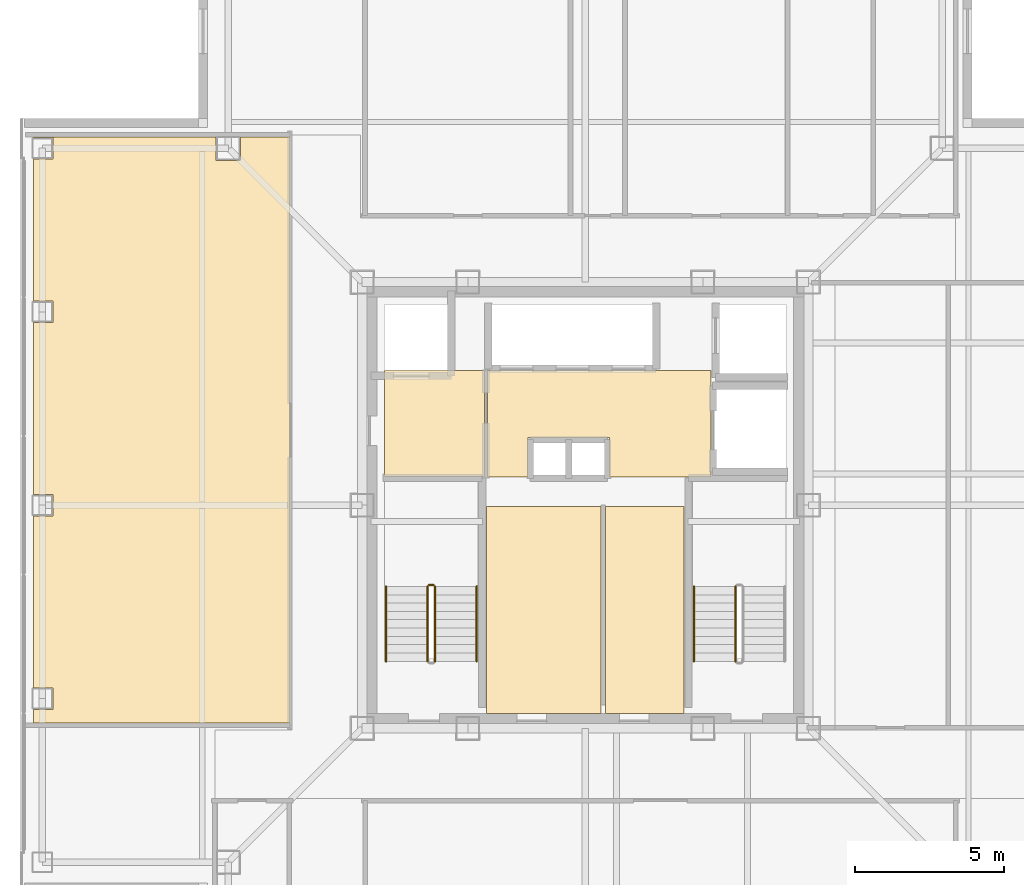
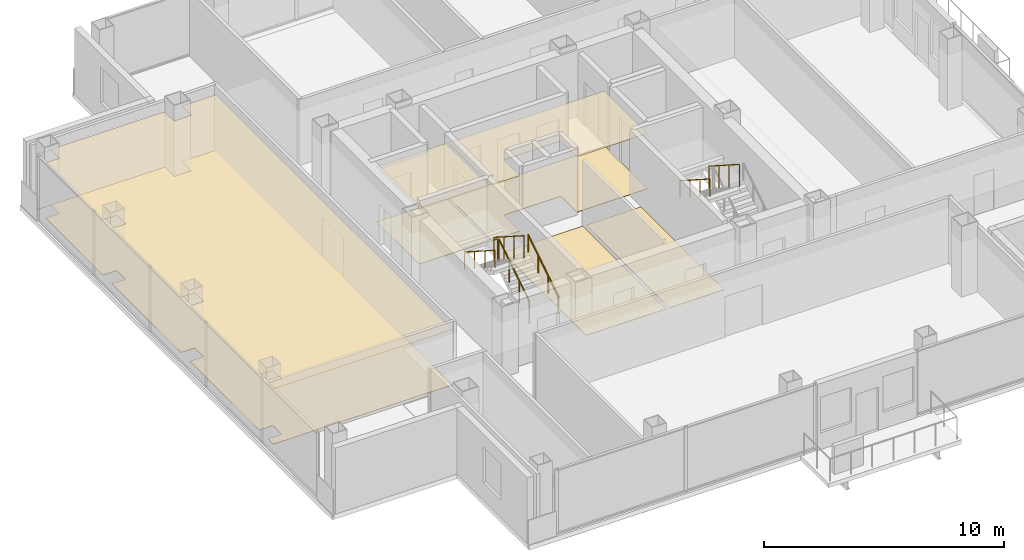
# One storey, part 12 of 15: 8 coverings, 7 railings.
"""IFC4 building model written with IfcOpenShell, lengths in metres."""

from ifc_helpers import new_model, si_unit, direction, frame, origin, origin_2d, place, context, subcontext, project, spatial, polyline, circle, outline, extrude, material, layer, layer_set, type_object, element, save


model = new_model("IFC4")

# Units and contexts
model_context = context("Model", 3, precision=1e-05, world=origin(), true_north=direction((0.0, 1.0)))
body_context = subcontext(model_context, "Body", "Model", "MODEL_VIEW")
ifc_project = project(units=[si_unit("LENGTHUNIT", "METRE"), si_unit("AREAUNIT", "SQUARE_METRE"), si_unit("VOLUMEUNIT", "CUBIC_METRE"), si_unit("PLANEANGLEUNIT", "RADIAN"), si_unit("MASSUNIT", "GRAM", prefix="KILO")], contexts=[model_context])

# Site, building, storey
site_placement = place(None, origin())
site = spatial("IfcSite", under=ifc_project, at=site_placement, CompositionType="ELEMENT")
building_placement = place(site_placement, origin())
building = spatial("IfcBuilding", under=site, at=building_placement, Name="Trevonay Congress Spire", CompositionType="ELEMENT")
storey_placement = place(building_placement, frame((0.0, 0.0, 243.199951171875)))
storey = spatial("IfcBuildingStorey", under=building, at=storey_placement, Name="L63", CompositionType="ELEMENT", Elevation=243.199951171875)

# Coverings
ifc_material_1 = material(Name="Acoustic Mineral Fibre Board", Category="gypsum")
ifc_layer_1 = layer(ifc_material_1, 0.02490234375, Name="Acoustic Mineral Fibre Board")
ifc_layer_set_1 = layer_set([ifc_layer_1], Name="Acoustic Mineral Fibre Board")
covering_type_1 = type_object("IfcCoveringType", Name="COV-CEIL-ACOUSTIC", PredefinedType="CEILING", material=ifc_layer_set_1)
covering_1_placement = place(storey_placement, frame((0.0, 0.0, 2.81005859375)))
element("IfcCovering", 1, at=covering_1_placement, inside=storey, type_object=covering_type_1, Name="L63 Firefighting Lift Lobby West acoustic suspended ceiling", PredefinedType="CEILING", context=body_context, shape_type="SweptSolid", body=[
    extrude(outline(polyline([(-6.75, 0.9599609375), (-3.3798828125, 0.9599609375), (-3.3798828125, 4.52001953125), (-6.75, 4.52001953125), (-6.75, 0.9599609375)])), origin(), (0.0, 0.0, 1.0), 0.02490234375),
])
covering_2_placement = place(storey_placement, frame((0.0, 0.0, 2.81005859375)))
element("IfcCovering", 2, at=covering_2_placement, inside=storey, type_object=covering_type_1, Name="L63 Central and High-Rise Passenger Lift Lobby acoustic suspended ceiling", PredefinedType="CEILING", context=body_context, shape_type="SweptSolid", body=[
    extrude(outline(polyline([(-3.280029296875, 0.949951171875), (-1.919921875, 0.949951171875), (-1.919921875, 2.280029296875), (0.820068359375, 2.280029296875), (0.820068359375, 0.949951171875), (4.219970703125, 0.949951171875), (4.219970703125, 4.52001953125), (-3.280029296875, 4.52001953125), (-3.280029296875, 0.949951171875)])), origin(), (0.0, 0.0, 1.0), 0.02490234375),
])
covering_3_placement = place(storey_placement, frame((0.0, 0.0, 2.81005859375)))
element("IfcCovering", 3, at=covering_3_placement, inside=storey, type_object=covering_type_1, Name="L63 Mercosur Ministerial Council Chamber acoustic suspended ceiling", PredefinedType="CEILING", context=body_context, shape_type="SweptSolid", body=[
    extrude(outline(polyline([(-9.929931640625, 12.3701171875), (-9.929931640625, -7.320068359375), (-18.550048828125, -7.320068359375), (-18.550048828125, -6.860107421875), (-17.889892578125, -6.860107421875), (-17.889892578125, -6.139892578125), (-18.550048828125, -6.139892578125), (-18.550048828125, -0.360107421875), (-17.889892578125, -0.360107421875), (-17.889892578125, 0.360107421875), (-18.550048828125, 0.360107421875), (-18.550048828125, 6.139892578125), (-17.889892578125, 6.139892578125), (-17.889892578125, 6.860107421875), (-18.550048828125, 6.860107421875), (-18.550048828125, 11.639892578125), (-17.889892578125, 11.639892578125), (-17.889892578125, 12.360107421875), (-18.550048828125, 12.360107421875), (-18.550048828125, 12.3701171875), (-12.409912109375, 12.3701171875), (-12.409912109375, 11.590087890625), (-11.590087890625, 11.590087890625), (-11.590087890625, 12.3701171875), (-9.929931640625, 12.3701171875)])), origin(), (0.0, 0.0, 1.0), 0.02490234375),
])
ifc_material_2 = material(Name="Polished Granite Floor Tile", Category="masonry")
ifc_layer_2 = layer(ifc_material_2, 0.02001953125, Name="Polished Granite Floor Tile")
ifc_layer_set_2 = layer_set([ifc_layer_2], Name="Polished Granite Floor Tile")
covering_type_2 = type_object("IfcCoveringType", Name="COV-FLOOR-STONE", PredefinedType="FLOORING", material=ifc_layer_set_2)
covering_4_placement = place(storey_placement, origin())
element("IfcCovering", 4, at=covering_4_placement, inside=storey, type_object=covering_type_2, Name="L63 Firefighting Lift Lobby West floor finish", PredefinedType="FLOORING", context=body_context, shape_type="SweptSolid", body=[
    extrude(outline(polyline([(-6.75, 0.9599609375), (-3.3798828125, 0.9599609375), (-3.3798828125, 4.52001953125), (-6.75, 4.52001953125), (-6.75, 0.9599609375)])), origin(), (0.0, 0.0, 1.0), 0.02001953125),
])
covering_5_placement = place(storey_placement, origin())
element("IfcCovering", 5, at=covering_5_placement, inside=storey, type_object=covering_type_2, Name="L63 Central and High-Rise Passenger Lift Lobby floor finish", PredefinedType="FLOORING", context=body_context, shape_type="SweptSolid", body=[
    extrude(outline(polyline([(-3.280029296875, 0.949951171875), (-1.919921875, 0.949951171875), (-1.919921875, 2.280029296875), (0.820068359375, 2.280029296875), (0.820068359375, 0.949951171875), (4.219970703125, 0.949951171875), (4.219970703125, 4.52001953125), (-3.280029296875, 4.52001953125), (-3.280029296875, 0.949951171875)])), origin(), (0.0, 0.0, 1.0), 0.02001953125),
])
covering_6_placement = place(storey_placement, origin())
element("IfcCovering", 6, at=covering_6_placement, inside=storey, type_object=covering_type_2, Name="L63 Core Electrical Sub-Board Room floor finish", PredefinedType="FLOORING", context=body_context, shape_type="SweptSolid", body=[
    extrude(outline(polyline([(-3.320068359375, -7.0), (0.52001953125, -7.0), (0.52001953125, -0.050048828125), (-3.320068359375, -0.050048828125), (-3.320068359375, -7.0)])), origin(), (0.0, 0.0, 1.0), 0.02001953125),
])
covering_7_placement = place(storey_placement, origin())
element("IfcCovering", 7, at=covering_7_placement, inside=storey, type_object=covering_type_2, Name="L63 Cleaner and Housekeeping Store floor finish", PredefinedType="FLOORING", context=body_context, shape_type="SweptSolid", body=[
    extrude(outline(polyline([(0.679931640625, -7.0), (3.320068359375, -7.0), (3.320068359375, -0.050048828125), (0.679931640625, -0.050048828125), (0.679931640625, -7.0)])), origin(), (0.0, 0.0, 1.0), 0.02001953125),
])
ifc_material_3 = material(Name="Engineered Oak Flooring", Category="wood")
ifc_layer_3 = layer(ifc_material_3, 0.01806640625, Name="Engineered Oak Flooring")
ifc_layer_set_3 = layer_set([ifc_layer_3], Name="Engineered Oak Flooring")
covering_type_3 = type_object("IfcCoveringType", Name="COV-FLOOR-TIMBER", PredefinedType="FLOORING", material=ifc_layer_set_3)
covering_8_placement = place(storey_placement, origin())
element("IfcCovering", 8, at=covering_8_placement, inside=storey, type_object=covering_type_3, Name="L63 Mercosur Ministerial Council Chamber floor finish", PredefinedType="FLOORING", context=body_context, shape_type="SweptSolid", body=[
    extrude(outline(polyline([(-9.929931640625, 12.3701171875), (-9.929931640625, -7.320068359375), (-18.550048828125, -7.320068359375), (-18.550048828125, -6.860107421875), (-17.889892578125, -6.860107421875), (-17.889892578125, -6.139892578125), (-18.550048828125, -6.139892578125), (-18.550048828125, -0.360107421875), (-17.889892578125, -0.360107421875), (-17.889892578125, 0.360107421875), (-18.550048828125, 0.360107421875), (-18.550048828125, 6.139892578125), (-17.889892578125, 6.139892578125), (-17.889892578125, 6.860107421875), (-18.550048828125, 6.860107421875), (-18.550048828125, 11.639892578125), (-17.889892578125, 11.639892578125), (-17.889892578125, 12.360107421875), (-18.550048828125, 12.360107421875), (-18.550048828125, 12.3701171875), (-12.409912109375, 12.3701171875), (-12.409912109375, 11.590087890625), (-11.590087890625, 11.590087890625), (-11.590087890625, 12.3701171875), (-9.929931640625, 12.3701171875)])), origin(), (0.0, 0.0, 1.0), 0.01806640625),
])

# Railings
ifc_material_4 = material(Name="Pale Anodised Aluminium EN AW-6063-T6", Category="aluminium")
railing_type_1 = type_object("IfcRailingType", Name="RAL-STAIR-GUARD-110", PredefinedType="GUARDRAIL", material=ifc_material_4)
railing_1_placement = place(storey_placement, frame((-5.050048828125, -5.25, 0.179931640625)))
element("IfcRailing", 9, at=railing_1_placement, inside=storey, type_object=railing_type_1, Name="L63 ST-1 stair guard 1", PredefinedType="GUARDRAIL", context=body_context, shape_type="SweptSolid", body=[
    extrude(circle(Radius=0.02392578125, at=origin_2d()), frame((0.0, 0.0, 1.1259765625), z_axis=(0.0, 0.841162588446, 0.540782303519), x_axis=(-1.0, 0.0, 0.0)), (0.0, 0.0, 1.0), 2.995849609375),
    extrude(circle(Radius=0.02099609375, at=origin_2d()), origin(), (0.0, 0.0, 1.0), 1.101806640625),
    extrude(circle(Radius=0.02099609375, at=origin_2d()), frame((0.0, 0.840087890625, 0.5400390625)), (0.0, 0.0, 1.0), 1.101806640625),
    extrude(circle(Radius=0.02099609375, at=origin_2d()), frame((0.0, 1.679931640625, 1.080078125)), (0.0, 0.0, 1.0), 1.101806640625),
    extrude(circle(Radius=0.02099609375, at=origin_2d()), frame((0.0, 2.52001953125, 1.6201171875)), (0.0, 0.0, 1.0), 1.101806640625),
])
railing_2_placement = place(storey_placement, frame((-5.10009765625, -2.679931640625, 1.800048828125)))
element("IfcRailing", 10, at=railing_2_placement, inside=storey, type_object=railing_type_1, Name="L63 ST-1 stair guard 2", PredefinedType="GUARDRAIL", context=body_context, shape_type="SweptSolid", body=[
    extrude(circle(Radius=0.02392578125, at=origin_2d()), frame((0.0, 0.0, 1.1259765625), z_axis=(-1.0, 0.0, 0.0), x_axis=(0.0, -1.0, 0.0)), (0.0, 0.0, 1.0), 0.14990234375),
    extrude(circle(Radius=0.02099609375, at=origin_2d()), origin(), (0.0, 0.0, 1.0), 1.101806640625),
    extrude(circle(Radius=0.02099609375, at=origin_2d()), frame((-0.14990234375, 0.0, 0.0)), (0.0, 0.0, 1.0), 1.101806640625),
])
for number, where, name in (
    (11, (-5.300048828125, -2.72998046875, 1.97998046875), "L63 ST-1 stair guard 3"),
    (12, (5.050048828125, -2.72998046875, 1.97998046875), "L63 ST-2 stair guard 3"),
):
    element("IfcRailing", number, at=place(storey_placement, frame(where)), inside=storey, type_object=railing_type_1, Name=name, PredefinedType="GUARDRAIL", context=body_context, shape_type="SweptSolid", body=[
        extrude(circle(Radius=0.02392578125, at=origin_2d()), frame((0.0, 0.0, 1.1259765625), z_axis=(0.0, -0.841162588446, 0.540782303519), x_axis=(1.0, 0.0, 0.0)), (0.0, 0.0, 1.0), 2.995849609375),
        extrude(circle(Radius=0.02099609375, at=origin_2d()), origin(), (0.0, 0.0, 1.0), 1.101806640625),
        extrude(circle(Radius=0.02099609375, at=origin_2d()), frame((0.0, -0.840087890625, 0.5400390625)), (0.0, 0.0, 1.0), 1.101806640625),
        extrude(circle(Radius=0.02099609375, at=origin_2d()), frame((0.0, -1.679931640625, 1.080078125)), (0.0, 0.0, 1.0), 1.101806640625),
        extrude(circle(Radius=0.02099609375, at=origin_2d()), frame((0.0, -2.52001953125, 1.6201171875)), (0.0, 0.0, 1.0), 1.101806640625),
    ])
railing_type_2 = type_object("IfcRailingType", Name="RAL-STAIR-HANDRAIL", PredefinedType="HANDRAIL", material=ifc_material_4)
railing_3_placement = place(storey_placement, frame((-3.64990234375, -5.25, 0.179931640625)))
element("IfcRailing", 13, at=railing_3_placement, inside=storey, type_object=railing_type_2, Name="L63 ST-1 stair handrail 1", PredefinedType="HANDRAIL", context=body_context, shape_type="SweptSolid", body=[
    extrude(circle(Radius=0.02392578125, at=origin_2d()), frame((0.0, 0.0, 0.8759765625), z_axis=(0.0, 0.841162588446, 0.540782303519), x_axis=(-1.0, 0.0, 0.0)), (0.0, 0.0, 1.0), 2.995849609375),
    extrude(circle(Radius=0.02099609375, at=origin_2d()), origin(), (0.0, 0.0, 1.0), 0.851806640625),
    extrude(circle(Radius=0.02099609375, at=origin_2d()), frame((0.0, 0.840087890625, 0.5400390625)), (0.0, 0.0, 1.0), 0.851806640625),
    extrude(circle(Radius=0.02099609375, at=origin_2d()), frame((0.0, 1.679931640625, 1.080078125)), (0.0, 0.0, 1.0), 0.851806640625),
    extrude(circle(Radius=0.02099609375, at=origin_2d()), frame((0.0, 2.52001953125, 1.6201171875)), (0.0, 0.0, 1.0), 0.851806640625),
])
for number, where, name in (
    (14, (-6.699951171875, -2.72998046875, 1.97998046875), "L63 ST-1 stair handrail 2"),
    (15, (3.64990234375, -2.72998046875, 1.97998046875), "L63 ST-2 stair handrail 2"),
):
    element("IfcRailing", number, at=place(storey_placement, frame(where)), inside=storey, type_object=railing_type_2, Name=name, PredefinedType="HANDRAIL", context=body_context, shape_type="SweptSolid", body=[
        extrude(circle(Radius=0.02392578125, at=origin_2d()), frame((0.0, 0.0, 0.8759765625), z_axis=(0.0, -0.841162588446, 0.540782303519), x_axis=(1.0, 0.0, 0.0)), (0.0, 0.0, 1.0), 2.995849609375),
        extrude(circle(Radius=0.02099609375, at=origin_2d()), origin(), (0.0, 0.0, 1.0), 0.851806640625),
        extrude(circle(Radius=0.02099609375, at=origin_2d()), frame((0.0, -0.840087890625, 0.5400390625)), (0.0, 0.0, 1.0), 0.851806640625),
        extrude(circle(Radius=0.02099609375, at=origin_2d()), frame((0.0, -1.679931640625, 1.080078125)), (0.0, 0.0, 1.0), 0.851806640625),
        extrude(circle(Radius=0.02099609375, at=origin_2d()), frame((0.0, -2.52001953125, 1.6201171875)), (0.0, 0.0, 1.0), 0.851806640625),
    ])

save(model, "model.ifc")
